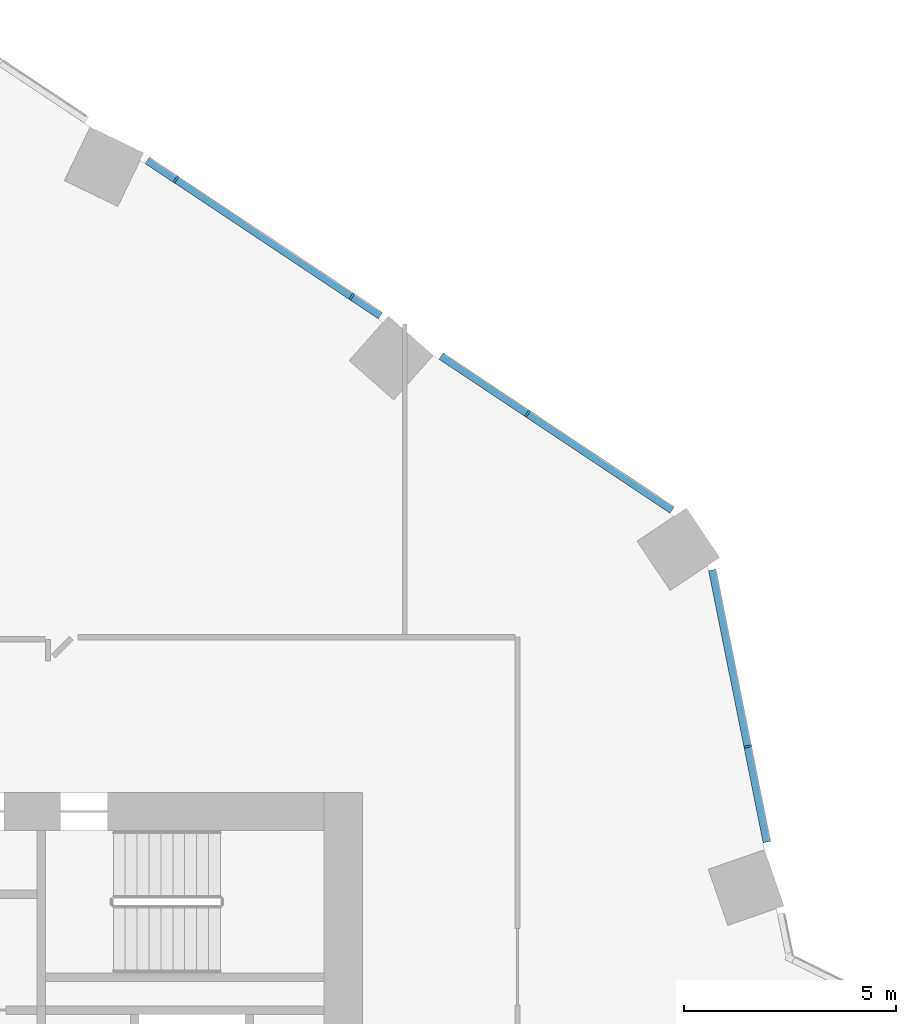
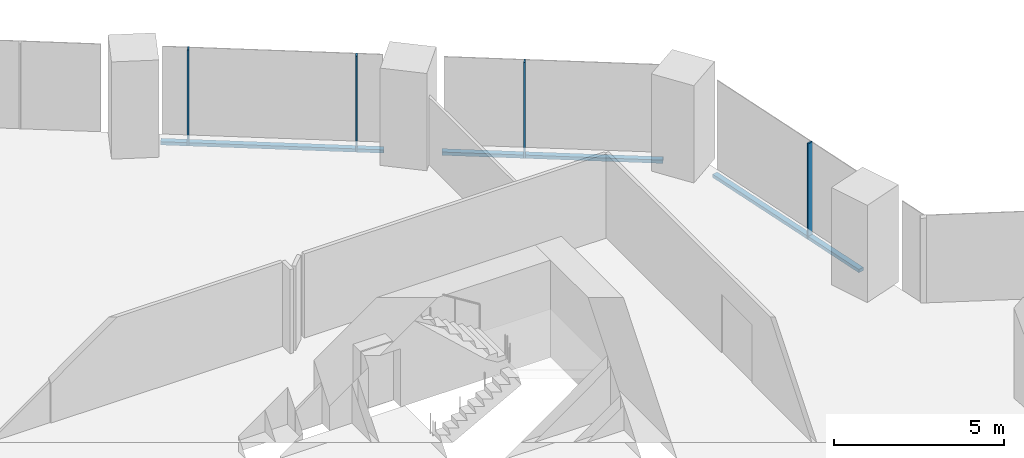
# One storey, part 15 of 38: 7 members, 2 elements without a shape of their own.
"""IFC4 building model written with IfcOpenShell, lengths in metres."""

from ifc_helpers import new_model, si_unit, direction, frame, origin, origin_2d, place, context, subcontext, project, spatial, rectangle, extrude, material, material_profile, profile_set, type_object, element, aggregate, save


model = new_model("IFC4")

# Units and contexts
model_context = context("Model", 3, precision=1e-05, world=origin(), true_north=direction((0.0, 1.0)))
body_context = subcontext(model_context, "Body", "Model", "MODEL_VIEW")
ifc_project = project(units=[si_unit("LENGTHUNIT", "METRE"), si_unit("AREAUNIT", "SQUARE_METRE"), si_unit("VOLUMEUNIT", "CUBIC_METRE"), si_unit("PLANEANGLEUNIT", "RADIAN"), si_unit("MASSUNIT", "GRAM", prefix="KILO")], contexts=[model_context])

# Site, building, storey
site_placement = place(None, origin())
site = spatial("IfcSite", under=ifc_project, at=site_placement, CompositionType="ELEMENT")
building_placement = place(site_placement, origin())
building = spatial("IfcBuilding", under=site, at=building_placement, Name="Orlundy Tower", CompositionType="ELEMENT")
storey_placement = place(building_placement, frame((0.0, 0.0, 69.300048828125)))
storey = spatial("IfcBuildingStorey", under=building, at=storey_placement, Name="L16", CompositionType="ELEMENT", Elevation=69.300048828125)

# Curtain wall, members
ifc_material_1 = material(Name="Aluminium bronze anodised", Category="aluminium")
curtain_wall_type = type_object("IfcCurtainWallType", Name="CW1 wall", PredefinedType="NOTDEFINED", material=ifc_material_1)
curtain_wall_1_placement = place(storey_placement, origin())
curtain_wall_1 = element("IfcCurtainWall", 1, at=curtain_wall_1_placement, inside=storey, type_object=curtain_wall_type, Name="CW1 run 016", PredefinedType="NOTDEFINED")
ifc_material_2 = material(Name="Aluminium bronze anodised", Category="aluminium")
ifc_material_profile_1 = material_profile(ifc_material_2, rectangle(XDim=0.179931640625, YDim=0.050048828125, at=origin_2d()), Name="CW1 mullion 50x180")
ifc_profile_set_1 = profile_set([ifc_material_profile_1], Name="Aluminium bronze anodised")
member_type_1 = type_object("IfcMemberType", Name="CW1 mullion 50x180", PredefinedType="MULLION", material=ifc_profile_set_1)
member_1_placement = place(storey_placement, frame((14.612548828125, 26.421142578125, -0.400146484375), z_axis=(0.0, 0.0, 1.0), x_axis=(0.554356579774, 0.832279269513, 0.0)))
member_1 = element("IfcMember", 2, at=member_1_placement, type_object=member_type_1, Name="CW1 mullion 46", PredefinedType="MULLION", context=body_context, shape_type="SweptSolid", body=[
    extrude(rectangle(XDim=0.179931640625, YDim=0.050048828125, at=origin_2d()), origin(), (0.0, 0.0, 1.0), 3.4501953125),
])
member_2_placement = place(storey_placement, frame((18.749267578125, 23.665771484375, -0.400146484375), z_axis=(0.0, 0.0, 1.0), x_axis=(0.554356579774, 0.832279269513, 0.0)))
member_2 = element("IfcMember", 3, at=member_2_placement, type_object=member_type_1, Name="CW1 mullion 47", PredefinedType="MULLION", context=body_context, shape_type="SweptSolid", body=[
    extrude(rectangle(XDim=0.179931640625, YDim=0.050048828125, at=origin_2d()), origin(), (0.0, 0.0, 1.0), 3.4501953125),
])
member_3_placement = place(storey_placement, frame((22.885986328125, 20.910400390625, -0.400146484375), z_axis=(0.0, 0.0, 1.0), x_axis=(0.554356579774, 0.832279269513, 0.0)))
member_3 = element("IfcMember", 4, at=member_3_placement, type_object=member_type_1, Name="CW1 mullion 48", PredefinedType="MULLION", context=body_context, shape_type="SweptSolid", body=[
    extrude(rectangle(XDim=0.179931640625, YDim=0.050048828125, at=origin_2d()), origin(), (0.0, 0.0, 1.0), 3.4501953125),
])

# Curtain wall, member
curtain_wall_2_placement = place(storey_placement, origin())
curtain_wall_2 = element("IfcCurtainWall", 5, at=curtain_wall_2_placement, inside=storey, type_object=curtain_wall_type, Name="CW1 run 017", PredefinedType="NOTDEFINED")
member_4_placement = place(storey_placement, frame((28.067138671875, 13.07861328125, -0.400146484375), z_axis=(0.0, 0.0, 1.0), x_axis=(0.980497937474, 0.196529373401, 0.0)))
member_4 = element("IfcMember", 6, at=member_4_placement, type_object=member_type_1, Name="CW1 mullion 50", PredefinedType="MULLION", context=body_context, shape_type="SweptSolid", body=[
    extrude(rectangle(XDim=0.179931640625, YDim=0.050048828125, at=origin_2d()), origin(), (0.0, 0.0, 1.0), 3.4501953125),
])

# Member
ifc_material_3 = material(Name="Aluminium bronze anodised", Category="aluminium")
ifc_material_profile_2 = material_profile(ifc_material_3, rectangle(XDim=0.179931640625, YDim=0.1201171875, at=origin_2d()), Name="CW1 transom 180x120")
ifc_profile_set_2 = profile_set([ifc_material_profile_2], Name="Aluminium bronze anodised")
member_type_2 = type_object("IfcMemberType", Name="CW1 transom 180x120", PredefinedType="USERDEFINED", material=ifc_profile_set_2)
member_5_placement = place(storey_placement, frame((13.9375, 26.87060546875, -0.340087890625), z_axis=(0.832295194407, -0.554332670304, 0.0), x_axis=(0.554332670304, 0.832295194407, 0.0)))
member_5 = element("IfcMember", 7, at=member_5_placement, type_object=member_type_2, Name="CW1 transom", ObjectType="TRANSOM", PredefinedType="USERDEFINED", context=body_context, shape_type="SweptSolid", body=[
    extrude(rectangle(XDim=0.179931640625, YDim=0.1201171875, at=origin_2d()), origin(), (0.0, 0.0, 1.0), 6.5927734375),
])

member_6_placement = place(storey_placement, frame((20.852783203125, 22.2646484375, -0.340087890625), z_axis=(0.832274498629, -0.55436374244, 0.0), x_axis=(0.55436374244, 0.832274498629, 0.0)))
member_6 = element("IfcMember", 8, at=member_6_placement, type_object=member_type_2, Name="CW1 transom", ObjectType="TRANSOM", PredefinedType="USERDEFINED", context=body_context, shape_type="SweptSolid", body=[
    extrude(rectangle(XDim=0.179931640625, YDim=0.1201171875, at=origin_2d()), origin(), (0.0, 0.0, 1.0), 6.531494140625),
])

aggregate(curtain_wall_1, [member_1, member_2, member_3, member_5, member_6])

member_7_placement = place(storey_placement, frame((27.23486328125, 17.2314453125, -0.340087890625), z_axis=(0.196533104282, -0.980497189655, 0.0), x_axis=(0.980497189655, 0.196533104282, 0.0)))
member_7 = element("IfcMember", 9, at=member_7_placement, type_object=member_type_2, Name="CW1 transom", ObjectType="TRANSOM", PredefinedType="USERDEFINED", context=body_context, shape_type="SweptSolid", body=[
    extrude(rectangle(XDim=0.179931640625, YDim=0.1201171875, at=origin_2d()), origin(), (0.0, 0.0, 1.0), 6.530517578125),
])

aggregate(curtain_wall_2, [member_4, member_7])

save(model, "model.ifc")
